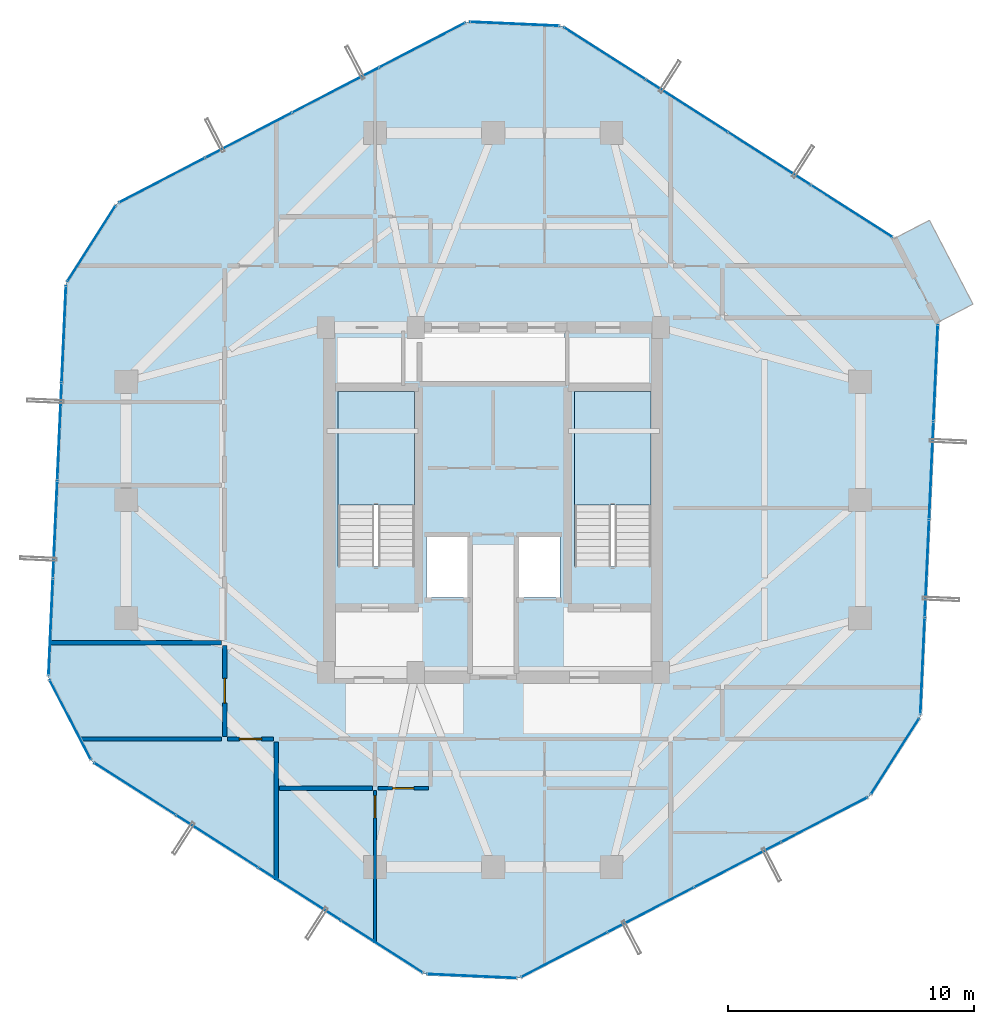
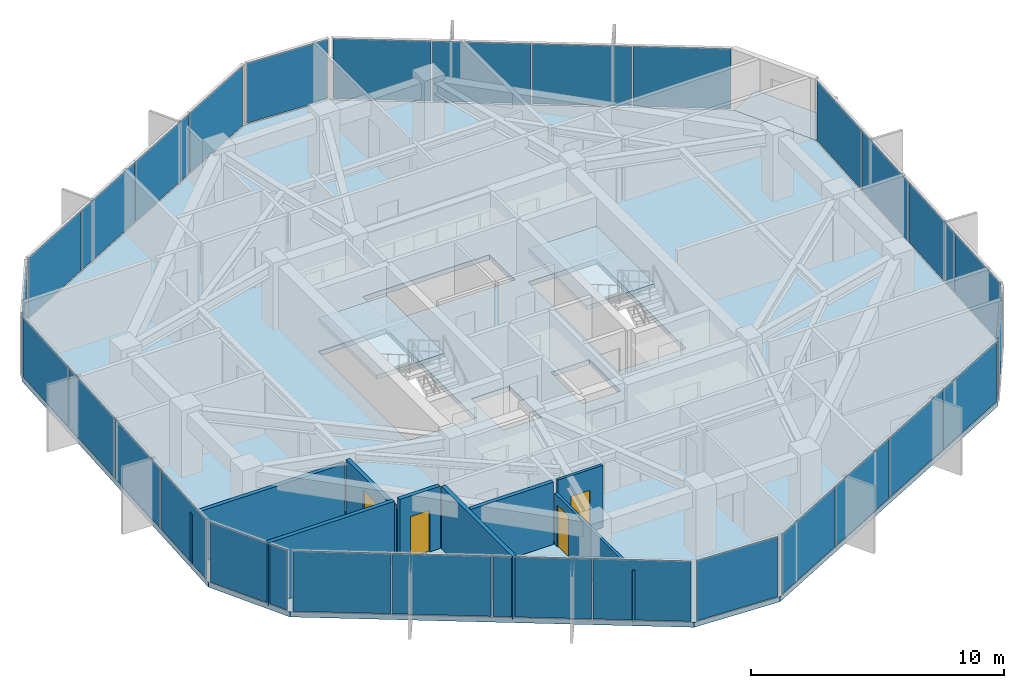
# One storey, part 24 of 29: 29 plates, 8 walls, 4 doors, 4 slabs, 4 openings, 13 elements without a shape of their own.
"""IFC4 building model written with IfcOpenShell, lengths in metres."""

from ifc_helpers import new_model, si_unit, direction, frame, frame_2d, origin, origin_2d, place, context, subcontext, project, spatial, polyline, rectangle, outline, extrude, source, transform, mapped, material, layer, layer_set, type_object, element, fill, aggregate, save


model = new_model("IFC4")

# Units and contexts
model_context = context("Model", 3, precision=1e-05, world=origin(), true_north=direction((0.0, 1.0)))
body_context = subcontext(model_context, "Body", "Model", "MODEL_VIEW")
ifc_project = project(units=[si_unit("LENGTHUNIT", "METRE"), si_unit("AREAUNIT", "SQUARE_METRE"), si_unit("VOLUMEUNIT", "CUBIC_METRE"), si_unit("PLANEANGLEUNIT", "RADIAN"), si_unit("MASSUNIT", "GRAM", prefix="KILO")], contexts=[model_context])

# Site, building, storey
site_placement = place(None, origin())
site = spatial("IfcSite", under=ifc_project, at=site_placement, CompositionType="ELEMENT")
building_placement = place(site_placement, origin())
building = spatial("IfcBuilding", under=site, at=building_placement, Name="Veraguas Prism Commons", CompositionType="ELEMENT")
storey_placement = place(building_placement, frame((0.0, 0.0, 215.64990234375)))
storey = spatial("IfcBuildingStorey", under=building, at=storey_placement, Name="L61", CompositionType="ELEMENT", Elevation=215.64990234375)

# Stair, slab
ifc_material_1 = material(Name="Precast concrete C45/55", Category="concrete")
stair_type = type_object("IfcStairType", Name="Dogleg Core Stair 1480W 20R 05", PredefinedType="HALF_TURN_STAIR", material=ifc_material_1)
stair_1_placement = place(storey_placement, origin())
stair_1 = element("IfcStair", 1, at=stair_1_placement, inside=storey, type_object=stair_type, Name="Protected Exit Stair ST-01 L61", PredefinedType="HALF_TURN_STAIR")
ifc_layer_1 = layer(ifc_material_1, 0.199951171875, Name="Precast Stair and Ramp Landing Slab 200", Category="concrete")
ifc_layer_set_1 = layer_set([ifc_layer_1], Name="Precast concrete C45/55")
slab_type_1 = type_object("IfcSlabType", Name="Precast Stair and Ramp Landing Slab 200", PredefinedType="LANDING", material=ifc_layer_set_1)
slab_1_placement = place(storey_placement, frame((0.0, 0.0, 1.425048828125)))
slab_1 = element("IfcSlab", 2, at=slab_1_placement, type_object=slab_type_1, Name="ST-05 Landing 1", PredefinedType="LANDING", context=body_context, shape_type="SweptSolid", body=[
    extrude(outline(polyline([(20.800048828125, 23.800048828125), (20.800048828125, 28.39990234375), (17.68994140625, 28.39990234375), (17.68994140625, 23.800048828125), (20.800048828125, 23.800048828125)])), origin(), (0.0, 0.0, 1.0), 0.199951171875),
])
aggregate(stair_1, [slab_1])

stair_2_placement = place(storey_placement, origin())
stair_2 = element("IfcStair", 3, at=stair_2_placement, inside=storey, type_object=stair_type, Name="Protected Exit Stair ST-02 L61", PredefinedType="HALF_TURN_STAIR")
slab_2_placement = place(storey_placement, frame((0.0, 0.0, 1.425048828125)))
slab_2 = element("IfcSlab", 4, at=slab_2_placement, type_object=slab_type_1, Name="ST-05 Landing 1", PredefinedType="LANDING", context=body_context, shape_type="SweptSolid", body=[
    extrude(outline(polyline([(30.39990234375, 23.800048828125), (30.39990234375, 28.39990234375), (27.2900390625, 28.39990234375), (27.2900390625, 23.800048828125), (30.39990234375, 23.800048828125)])), origin(), (0.0, 0.0, 1.0), 0.199951171875),
])
aggregate(stair_2, [slab_2])

# Slabs
ifc_material_2 = material(Name="Concrete C45/55", Category="concrete")
ifc_layer_2 = layer(ifc_material_2, 0.219970703125, Name="Recessed Loggia and Terrace Slab RC 220", Category="concrete")
ifc_layer_set_2 = layer_set([ifc_layer_2], Name="Concrete C45/55")
slab_type_2 = type_object("IfcSlabType", Name="Recessed Loggia and Terrace Slab RC 220", PredefinedType="FLOOR", material=ifc_layer_set_2)
slab_3_placement = place(storey_placement, frame((0.0, 0.0, -0.219970703125)))
element("IfcSlab", 5, at=slab_3_placement, inside=storey, type_object=slab_type_2, Name="Recessed Corner Loggia L61-C1", PredefinedType="FLOOR", context=body_context, shape_type="SweptSolid", body=[
    extrude(outline(polyline([(42.03271484375, 31.202880859375), (43.470458984375, 31.949462890625), (41.703369140625, 35.3525390625), (40.265625, 34.60595703125), (42.03271484375, 31.202880859375)])), origin(), (0.0, 0.0, 1.0), 0.219970703125),
])
ifc_layer_3 = layer(ifc_material_2, 0.235107421875, Name="Tower Upper Residential Floor Slab RC 235", Category="concrete")
ifc_layer_set_3 = layer_set([ifc_layer_3], Name="Concrete C45/55")
slab_type_3 = type_object("IfcSlabType", Name="Tower Upper Residential Floor Slab RC 235", PredefinedType="FLOOR", material=ifc_layer_set_3)
slab_4_placement = place(storey_placement, frame((0.0, 0.0, -0.23486328125)))
element("IfcSlab", 6, at=slab_4_placement, inside=storey, type_object=slab_type_3, Name="Tower Floor Slab L61", PredefinedType="FLOOR", context=body_context, shape_type="SweptSolid", body=[
    extrude(outline(polyline([(42.05029296875, 31.212158203125), (40.283447265625, 34.615234375), (26.779296875, 43.23828125), (22.94873046875, 43.409423828125), (8.72900390625, 36.02587890625), (6.665283203125, 32.794189453125), (5.94970703125, 16.787841796875), (7.716552734375, 13.384765625), (21.220703125, 4.76171875), (25.05126953125, 4.590576171875), (39.27099609375, 11.97412109375), (41.334716796875, 15.205810546875), (42.05029296875, 31.212158203125)]), holes=[polyline([(20.800048828125, 21.31005859375), (20.800048828125, 28.39990234375), (17.68994140625, 28.39990234375), (17.68994140625, 21.31005859375), (20.800048828125, 21.31005859375)]), polyline([(30.39990234375, 21.31005859375), (30.39990234375, 28.39990234375), (27.2900390625, 28.39990234375), (27.2900390625, 21.31005859375), (30.39990234375, 21.31005859375)]), polyline([(21.10009765625, 28.800048828125), (26.89990234375, 28.800048828125), (26.89990234375, 30.800048828125), (21.10009765625, 30.800048828125), (21.10009765625, 28.800048828125)]), polyline([(21.300048828125, 20.050048828125), (23.050048828125, 20.050048828125), (23.050048828125, 22.550048828125), (21.300048828125, 22.550048828125), (21.300048828125, 20.050048828125)]), polyline([(24.949951171875, 20.050048828125), (26.699951171875, 20.050048828125), (26.699951171875, 22.550048828125), (24.949951171875, 22.550048828125), (24.949951171875, 20.050048828125)])]), origin(), (0.0, 0.0, 1.0), 0.23486328125),
])

# Curtain wall, plates
ifc_material_3 = material(Name="Anodised aluminium EN AW-6063 T6", Category="aluminium")
ifc_layer_4 = layer(ifc_material_3, 0.14990234375, Name="Unitised Flush Curtain Wall Zone 3", Category="aluminium")
ifc_layer_set_4 = layer_set([ifc_layer_4], Name="Anodised aluminium EN AW-6063 T6")
curtain_wall_type = type_object("IfcCurtainWallType", Name="Unitised Flush Curtain Wall Zone 3", PredefinedType="NOTDEFINED", material=ifc_layer_set_4)
curtain_wall_1_placement = place(storey_placement, origin())
curtain_wall_1 = element("IfcCurtainWall", 7, at=curtain_wall_1_placement, inside=storey, type_object=curtain_wall_type, Name="Tower Facade Curtain Wall L61-F1", PredefinedType="NOTDEFINED")
ifc_material_4 = material(Name="Laminated low-e glass", Category="glass")
ifc_layer_5 = layer(ifc_material_4, 0.028076171875, Name="Unitised Double Low-E Glazed Panel 28", Category="glass")
ifc_layer_set_5 = layer_set([ifc_layer_5], Name="Laminated low-e glass")
plate_type = type_object("IfcPlateType", Name="Unitised Double Low-E Glazed Panel 28", PredefinedType="CURTAIN_PANEL", material=ifc_layer_set_5)
shared_shape_1 = source(origin(), body_context, "Body", "SweptSolid", [
    extrude(rectangle(XDim=3.885498046875, YDim=0.028076171875, at=origin_2d()), origin(), (0.0, 0.0, 1.0), 2.905029296875),
])
plate_1_placement = place(storey_placement, frame((38.544677734375, 35.725341796875, 0.05517578125), z_axis=(0.0, 0.0, 1.0), x_axis=(-0.842828324641, 0.538182511035, 0.0)))
plate_1 = element("IfcPlate", 8, at=plate_1_placement, type_object=plate_type, Name="CW-Z3 Panel 1.1", PredefinedType="CURTAIN_PANEL", context=body_context, shape_type="MappedRepresentation", body=[
    mapped(shared_shape_1, transform((0.0, 0.0, 0.0), scale=1.0)),
])
plate_2_placement = place(storey_placement, frame((28.517822265625, 42.1279296875, 0.05517578125), z_axis=(0.0, 0.0, 1.0), x_axis=(-0.842828324641, 0.538182511035, 0.0)))
plate_2 = element("IfcPlate", 9, at=plate_2_placement, type_object=plate_type, Name="CW-Z3 Panel 4.1", PredefinedType="CURTAIN_PANEL", context=body_context, shape_type="MappedRepresentation", body=[
    mapped(shared_shape_1, transform((0.0, 0.0, 0.0), scale=1.0)),
])

curtain_wall_2_placement = place(storey_placement, origin())
curtain_wall_2 = element("IfcCurtainWall", 10, at=curtain_wall_2_placement, inside=storey, type_object=curtain_wall_type, Name="Tower Facade Curtain Wall L61-F4", PredefinedType="NOTDEFINED")
plate_3_placement = place(storey_placement, frame((9.455322265625, 12.274658203125, 0.05517578125), z_axis=(0.0, 0.0, 1.0), x_axis=(0.842828324641, -0.538182511035, 0.0)))
plate_3 = element("IfcPlate", 11, at=plate_3_placement, type_object=plate_type, Name="CW-Z3 Panel 1.1", PredefinedType="CURTAIN_PANEL", context=body_context, shape_type="MappedRepresentation", body=[
    mapped(shared_shape_1, transform((0.0, 0.0, 0.0), scale=1.0)),
])
plate_4_placement = place(storey_placement, frame((19.482177734375, 5.8720703125, 0.05517578125), z_axis=(0.0, 0.0, 1.0), x_axis=(0.842828324641, -0.538182511035, 0.0)))
plate_4 = element("IfcPlate", 12, at=plate_4_placement, type_object=plate_type, Name="CW-Z3 Panel 4.1", PredefinedType="CURTAIN_PANEL", context=body_context, shape_type="MappedRepresentation", body=[
    mapped(shared_shape_1, transform((0.0, 0.0, 0.0), scale=1.0)),
])

# Plate
shared_shape_2 = source(origin(), body_context, "Body", "SweptSolid", [
    extrude(rectangle(XDim=3.91552734375, YDim=0.028076171875, at=origin_2d()), origin(), (0.0, 0.0, 1.0), 2.905029296875),
])
plate_5_placement = place(storey_placement, frame((35.206787109375, 37.85693359375, 0.05517578125), z_axis=(0.0, 0.0, 1.0), x_axis=(-0.842828324641, 0.538182511035, 0.0)))
plate_5 = element("IfcPlate", 13, at=plate_5_placement, type_object=plate_type, Name="CW-Z3 Panel 2.1", PredefinedType="CURTAIN_PANEL", context=body_context, shape_type="MappedRepresentation", body=[
    mapped(shared_shape_2, transform((0.0, 0.0, 0.0), scale=1.0)),
])

plate_6_placement = place(storey_placement, frame((31.85595703125, 39.99658203125, 0.05517578125), z_axis=(0.0, 0.0, 1.0), x_axis=(-0.842828324641, 0.538182511035, 0.0)))
plate_6 = element("IfcPlate", 14, at=plate_6_placement, type_object=plate_type, Name="CW-Z3 Panel 3.1", PredefinedType="CURTAIN_PANEL", context=body_context, shape_type="MappedRepresentation", body=[
    mapped(shared_shape_2, transform((0.0, 0.0, 0.0), scale=1.0)),
])

aggregate(curtain_wall_1, [plate_1, plate_5, plate_6, plate_2])

# Curtain wall, plates
curtain_wall_3_placement = place(storey_placement, origin())
curtain_wall_3 = element("IfcCurtainWall", 15, at=curtain_wall_3_placement, inside=storey, type_object=curtain_wall_type, Name="Tower Facade Curtain Wall L61-F2", PredefinedType="NOTDEFINED")
plate_7_placement = place(storey_placement, frame((17.60302734375, 40.6337890625, 0.05517578125), z_axis=(0.0, 0.0, 1.0), x_axis=(-0.887493888749, -0.46081948465, 0.0)))
plate_7 = element("IfcPlate", 16, at=plate_7_placement, type_object=plate_type, Name="CW-Z3 Panel 2.1", PredefinedType="CURTAIN_PANEL", context=body_context, shape_type="MappedRepresentation", body=[
    mapped(shared_shape_2, transform((0.0, 0.0, 0.0), scale=1.0)),
])
plate_8_placement = place(storey_placement, frame((14.07470703125, 38.8017578125, 0.05517578125), z_axis=(0.0, 0.0, 1.0), x_axis=(-0.887493888749, -0.46081948465, 0.0)))
plate_8 = element("IfcPlate", 17, at=plate_8_placement, type_object=plate_type, Name="CW-Z3 Panel 3.1", PredefinedType="CURTAIN_PANEL", context=body_context, shape_type="MappedRepresentation", body=[
    mapped(shared_shape_2, transform((0.0, 0.0, 0.0), scale=1.0)),
])

curtain_wall_4_placement = place(storey_placement, origin())
curtain_wall_4 = element("IfcCurtainWall", 18, at=curtain_wall_4_placement, inside=storey, type_object=curtain_wall_type, Name="Tower Facade Curtain Wall L61-F3", PredefinedType="NOTDEFINED")
plate_9_placement = place(storey_placement, frame((6.396240234375, 26.77685546875, 0.05517578125), z_axis=(0.0, 0.0, 1.0), x_axis=(-0.044665564108, -0.999001995685, 0.0)))
plate_9 = element("IfcPlate", 19, at=plate_9_placement, type_object=plate_type, Name="CW-Z3 Panel 2.1", PredefinedType="CURTAIN_PANEL", context=body_context, shape_type="MappedRepresentation", body=[
    mapped(shared_shape_2, transform((0.0, 0.0, 0.0), scale=1.0)),
])
plate_10_placement = place(storey_placement, frame((6.21875, 22.80517578125, 0.05517578125), z_axis=(0.0, 0.0, 1.0), x_axis=(-0.044665564108, -0.999001995685, 0.0)))
plate_10 = element("IfcPlate", 20, at=plate_10_placement, type_object=plate_type, Name="CW-Z3 Panel 3.1", PredefinedType="CURTAIN_PANEL", context=body_context, shape_type="MappedRepresentation", body=[
    mapped(shared_shape_2, transform((0.0, 0.0, 0.0), scale=1.0)),
])

# Plate
plate_11_placement = place(storey_placement, frame((12.793212890625, 10.14306640625, 0.05517578125), z_axis=(0.0, 0.0, 1.0), x_axis=(0.842828324641, -0.538182511035, 0.0)))
plate_11 = element("IfcPlate", 21, at=plate_11_placement, type_object=plate_type, Name="CW-Z3 Panel 2.1", PredefinedType="CURTAIN_PANEL", context=body_context, shape_type="MappedRepresentation", body=[
    mapped(shared_shape_2, transform((0.0, 0.0, 0.0), scale=1.0)),
])

plate_12_placement = place(storey_placement, frame((16.14404296875, 8.00341796875, 0.05517578125), z_axis=(0.0, 0.0, 1.0), x_axis=(0.842828324641, -0.538182511035, 0.0)))
plate_12 = element("IfcPlate", 22, at=plate_12_placement, type_object=plate_type, Name="CW-Z3 Panel 3.1", PredefinedType="CURTAIN_PANEL", context=body_context, shape_type="MappedRepresentation", body=[
    mapped(shared_shape_2, transform((0.0, 0.0, 0.0), scale=1.0)),
])

aggregate(curtain_wall_2, [plate_3, plate_11, plate_12, plate_4])

# Curtain wall, plates
curtain_wall_5_placement = place(storey_placement, origin())
curtain_wall_5 = element("IfcCurtainWall", 23, at=curtain_wall_5_placement, inside=storey, type_object=curtain_wall_type, Name="Tower Facade Curtain Wall L61-F5", PredefinedType="NOTDEFINED")
plate_13_placement = place(storey_placement, frame((30.39697265625, 7.3662109375, 0.05517578125), z_axis=(0.0, 0.0, 1.0), x_axis=(0.887493888749, 0.46081948465, 0.0)))
plate_13 = element("IfcPlate", 24, at=plate_13_placement, type_object=plate_type, Name="CW-Z3 Panel 2.1", PredefinedType="CURTAIN_PANEL", context=body_context, shape_type="MappedRepresentation", body=[
    mapped(shared_shape_2, transform((0.0, 0.0, 0.0), scale=1.0)),
])
plate_14_placement = place(storey_placement, frame((33.92529296875, 9.1982421875, 0.05517578125), z_axis=(0.0, 0.0, 1.0), x_axis=(0.887493888749, 0.46081948465, 0.0)))
plate_14 = element("IfcPlate", 25, at=plate_14_placement, type_object=plate_type, Name="CW-Z3 Panel 3.1", PredefinedType="CURTAIN_PANEL", context=body_context, shape_type="MappedRepresentation", body=[
    mapped(shared_shape_2, transform((0.0, 0.0, 0.0), scale=1.0)),
])

curtain_wall_6_placement = place(storey_placement, origin())
curtain_wall_6 = element("IfcCurtainWall", 26, at=curtain_wall_6_placement, inside=storey, type_object=curtain_wall_type, Name="Tower Facade Curtain Wall L61-F6", PredefinedType="NOTDEFINED")
plate_15_placement = place(storey_placement, frame((41.603759765625, 21.22314453125, 0.05517578125), z_axis=(0.0, 0.0, 1.0), x_axis=(0.044665564108, 0.999001995685, 0.0)))
plate_15 = element("IfcPlate", 27, at=plate_15_placement, type_object=plate_type, Name="CW-Z3 Panel 2.1", PredefinedType="CURTAIN_PANEL", context=body_context, shape_type="MappedRepresentation", body=[
    mapped(shared_shape_2, transform((0.0, 0.0, 0.0), scale=1.0)),
])
plate_16_placement = place(storey_placement, frame((41.78125, 25.19482421875, 0.05517578125), z_axis=(0.0, 0.0, 1.0), x_axis=(0.044665564108, 0.999001995685, 0.0)))
plate_16 = element("IfcPlate", 28, at=plate_16_placement, type_object=plate_type, Name="CW-Z3 Panel 3.1", PredefinedType="CURTAIN_PANEL", context=body_context, shape_type="MappedRepresentation", body=[
    mapped(shared_shape_2, transform((0.0, 0.0, 0.0), scale=1.0)),
])

# Plate
shared_shape_3 = source(origin(), body_context, "Body", "SweptSolid", [
    extrude(rectangle(XDim=3.8857421875, YDim=0.028076171875, at=origin_2d()), origin(), (0.0, 0.0, 1.0), 2.905029296875),
])
plate_17_placement = place(storey_placement, frame((21.117919921875, 42.458984375, 0.05517578125), z_axis=(0.0, 0.0, 1.0), x_axis=(-0.887493888749, -0.46081948465, 0.0)))
plate_17 = element("IfcPlate", 29, at=plate_17_placement, type_object=plate_type, Name="CW-Z3 Panel 1.1", PredefinedType="CURTAIN_PANEL", context=body_context, shape_type="MappedRepresentation", body=[
    mapped(shared_shape_3, transform((0.0, 0.0, 0.0), scale=1.0)),
])

plate_18_placement = place(storey_placement, frame((10.5595703125, 36.9765625, 0.05517578125), z_axis=(0.0, 0.0, 1.0), x_axis=(-0.887493888749, -0.46081948465, 0.0)))
plate_18 = element("IfcPlate", 30, at=plate_18_placement, type_object=plate_type, Name="CW-Z3 Panel 4.1", PredefinedType="CURTAIN_PANEL", context=body_context, shape_type="MappedRepresentation", body=[
    mapped(shared_shape_3, transform((0.0, 0.0, 0.0), scale=1.0)),
])

aggregate(curtain_wall_3, [plate_17, plate_7, plate_8, plate_18])

plate_19_placement = place(storey_placement, frame((6.5732421875, 30.733642578125, 0.05517578125), z_axis=(0.0, 0.0, 1.0), x_axis=(-0.044665564108, -0.999001995685, 0.0)))
plate_19 = element("IfcPlate", 31, at=plate_19_placement, type_object=plate_type, Name="CW-Z3 Panel 1.1", PredefinedType="CURTAIN_PANEL", context=body_context, shape_type="MappedRepresentation", body=[
    mapped(shared_shape_3, transform((0.0, 0.0, 0.0), scale=1.0)),
])

plate_20_placement = place(storey_placement, frame((6.041748046875, 18.8486328125, 0.05517578125), z_axis=(0.0, 0.0, 1.0), x_axis=(-0.044665564108, -0.999001995685, 0.0)))
plate_20 = element("IfcPlate", 32, at=plate_20_placement, type_object=plate_type, Name="CW-Z3 Panel 4.1", PredefinedType="CURTAIN_PANEL", context=body_context, shape_type="MappedRepresentation", body=[
    mapped(shared_shape_3, transform((0.0, 0.0, 0.0), scale=1.0)),
])

aggregate(curtain_wall_4, [plate_19, plate_9, plate_10, plate_20])

plate_21_placement = place(storey_placement, frame((26.882080078125, 5.541015625, 0.05517578125), z_axis=(0.0, 0.0, 1.0), x_axis=(0.887493888749, 0.46081948465, 0.0)))
plate_21 = element("IfcPlate", 33, at=plate_21_placement, type_object=plate_type, Name="CW-Z3 Panel 1.1", PredefinedType="CURTAIN_PANEL", context=body_context, shape_type="MappedRepresentation", body=[
    mapped(shared_shape_3, transform((0.0, 0.0, 0.0), scale=1.0)),
])

plate_22_placement = place(storey_placement, frame((37.4404296875, 11.0234375, 0.05517578125), z_axis=(0.0, 0.0, 1.0), x_axis=(0.887493888749, 0.46081948465, 0.0)))
plate_22 = element("IfcPlate", 34, at=plate_22_placement, type_object=plate_type, Name="CW-Z3 Panel 4.1", PredefinedType="CURTAIN_PANEL", context=body_context, shape_type="MappedRepresentation", body=[
    mapped(shared_shape_3, transform((0.0, 0.0, 0.0), scale=1.0)),
])

aggregate(curtain_wall_5, [plate_21, plate_13, plate_14, plate_22])

plate_23_placement = place(storey_placement, frame((41.4267578125, 17.266357421875, 0.05517578125), z_axis=(0.0, 0.0, 1.0), x_axis=(0.044665564108, 0.999001995685, 0.0)))
plate_23 = element("IfcPlate", 35, at=plate_23_placement, type_object=plate_type, Name="CW-Z3 Panel 1.1", PredefinedType="CURTAIN_PANEL", context=body_context, shape_type="MappedRepresentation", body=[
    mapped(shared_shape_3, transform((0.0, 0.0, 0.0), scale=1.0)),
])

plate_24_placement = place(storey_placement, frame((41.958251953125, 29.1513671875, 0.05517578125), z_axis=(0.0, 0.0, 1.0), x_axis=(0.044665564108, 0.999001995685, 0.0)))
plate_24 = element("IfcPlate", 36, at=plate_24_placement, type_object=plate_type, Name="CW-Z3 Panel 4.1", PredefinedType="CURTAIN_PANEL", context=body_context, shape_type="MappedRepresentation", body=[
    mapped(shared_shape_3, transform((0.0, 0.0, 0.0), scale=1.0)),
])

aggregate(curtain_wall_6, [plate_23, plate_15, plate_16, plate_24])

# Curtain wall, plate
curtain_wall_7_placement = place(storey_placement, origin())
curtain_wall_7 = element("IfcCurtainWall", 37, at=curtain_wall_7_placement, inside=storey, type_object=curtain_wall_type, Name="Chamfer Curtain Wall L61-C3", PredefinedType="NOTDEFINED")
shared_shape_4 = source(origin(), body_context, "Body", "SweptSolid", [
    extrude(rectangle(XDim=3.59423828125, YDim=0.028076171875, at=origin_2d()), origin(), (0.0, 0.0, 1.0), 2.905029296875),
])
plate_25_placement = place(storey_placement, frame((7.697021484375, 34.41015625, 0.05517578125), z_axis=(0.0, 0.0, 1.0), x_axis=(-0.538189866079, -0.84282362808, 0.0)))
plate_25 = element("IfcPlate", 38, at=plate_25_placement, type_object=plate_type, Name="CW-Z3 Panel 1.1", PredefinedType="CURTAIN_PANEL", context=body_context, shape_type="MappedRepresentation", body=[
    mapped(shared_shape_4, transform((0.0, 0.0, 0.0), scale=1.0)),
])
aggregate(curtain_wall_7, [plate_25])

curtain_wall_8_placement = place(storey_placement, origin())
curtain_wall_8 = element("IfcCurtainWall", 39, at=curtain_wall_8_placement, inside=storey, type_object=curtain_wall_type, Name="Chamfer Curtain Wall L61-C6", PredefinedType="NOTDEFINED")
plate_26_placement = place(storey_placement, frame((40.302978515625, 13.58984375, 0.05517578125), z_axis=(0.0, 0.0, 1.0), x_axis=(0.538189866079, 0.84282362808, 0.0)))
plate_26 = element("IfcPlate", 40, at=plate_26_placement, type_object=plate_type, Name="CW-Z3 Panel 1.1", PredefinedType="CURTAIN_PANEL", context=body_context, shape_type="MappedRepresentation", body=[
    mapped(shared_shape_4, transform((0.0, 0.0, 0.0), scale=1.0)),
])
aggregate(curtain_wall_8, [plate_26])

curtain_wall_9_placement = place(storey_placement, origin())
curtain_wall_9 = element("IfcCurtainWall", 41, at=curtain_wall_9_placement, inside=storey, type_object=curtain_wall_type, Name="Chamfer Curtain Wall L61-C2", PredefinedType="NOTDEFINED")
shared_shape_5 = source(origin(), body_context, "Body", "SweptSolid", [
    extrude(rectangle(XDim=3.594482421875, YDim=0.028076171875, at=origin_2d()), origin(), (0.0, 0.0, 1.0), 2.905029296875),
])
plate_27_placement = place(storey_placement, frame((24.864013671875, 43.32373046875, 0.05517578125), z_axis=(0.0, 0.0, 1.0), x_axis=(-0.999003242593, 0.044637666692, 0.0)))
plate_27 = element("IfcPlate", 42, at=plate_27_placement, type_object=plate_type, Name="CW-Z3 Panel 1.1", PredefinedType="CURTAIN_PANEL", context=body_context, shape_type="MappedRepresentation", body=[
    mapped(shared_shape_5, transform((0.0, 0.0, 0.0), scale=1.0)),
])
aggregate(curtain_wall_9, [plate_27])

curtain_wall_10_placement = place(storey_placement, origin())
curtain_wall_10 = element("IfcCurtainWall", 43, at=curtain_wall_10_placement, inside=storey, type_object=curtain_wall_type, Name="Chamfer Curtain Wall L61-C4", PredefinedType="NOTDEFINED")
plate_28_placement = place(storey_placement, frame((6.8330078125, 15.086181640625, 0.05517578125), z_axis=(0.0, 0.0, 1.0), x_axis=(0.460836523225, -0.887485041486, 0.0)))
plate_28 = element("IfcPlate", 44, at=plate_28_placement, type_object=plate_type, Name="CW-Z3 Panel 1.1", PredefinedType="CURTAIN_PANEL", context=body_context, shape_type="MappedRepresentation", body=[
    mapped(shared_shape_5, transform((0.0, 0.0, 0.0), scale=1.0)),
])
aggregate(curtain_wall_10, [plate_28])

curtain_wall_11_placement = place(storey_placement, origin())
curtain_wall_11 = element("IfcCurtainWall", 45, at=curtain_wall_11_placement, inside=storey, type_object=curtain_wall_type, Name="Chamfer Curtain Wall L61-C5", PredefinedType="NOTDEFINED")
plate_29_placement = place(storey_placement, frame((23.135986328125, 4.67626953125, 0.05517578125), z_axis=(0.0, 0.0, 1.0), x_axis=(0.999003242593, -0.044637666692, 0.0)))
plate_29 = element("IfcPlate", 46, at=plate_29_placement, type_object=plate_type, Name="CW-Z3 Panel 1.1", PredefinedType="CURTAIN_PANEL", context=body_context, shape_type="MappedRepresentation", body=[
    mapped(shared_shape_5, transform((0.0, 0.0, 0.0), scale=1.0)),
])
aggregate(curtain_wall_11, [plate_29])

# Walls
ifc_material_5 = material(Name="Autoclaved aerated masonry block 10 MPa", Category="masonry")
ifc_layer_6 = layer(ifc_material_5, 0.179931640625, Name="Corridor and Inter-Tenancy Partition 180", Category="masonry")
ifc_layer_set_6 = layer_set([ifc_layer_6], Name="Autoclaved aerated masonry block 10 MPa")
wall_type_1 = type_object("IfcWallType", Name="Corridor and Inter-Tenancy Partition 180", PredefinedType="PARTITIONING", material=ifc_layer_set_6)
wall_1_placement = place(storey_placement, frame((15.199951171875, 14.179931640625, 0.0), z_axis=(0.0, 0.0, 1.0), x_axis=(0.0, -1.0, 0.0)))
element("IfcWall", 47, at=wall_1_placement, inside=storey, type_object=wall_type_1, Name="WL-L61-PT001", PredefinedType="PARTITIONING", context=body_context, shape_type="SweptSolid", body=[
    extrude(rectangle(XDim=5.609130859375, YDim=0.179931640625, at=frame_2d((2.8046875, 0.0))), origin(), (0.0, 0.0, 1.0), 3.01513671875),
])
wall_2_placement = place(storey_placement, frame((15.320068359375, 12.300048828125, 0.0), z_axis=(0.0, 0.0, 1.0), x_axis=(1.0, 0.0, 0.0)))
element("IfcWall", 48, at=wall_2_placement, inside=storey, type_object=wall_type_1, Name="WL-L61-PT005", PredefinedType="PARTITIONING", context=body_context, shape_type="SweptSolid", body=[
    extrude(rectangle(XDim=3.780029296875, YDim=0.179931640625, at=frame_2d((1.89013671875, 0.0))), origin(), (0.0, 0.0, 1.0), 3.01513671875),
])
wall_3_placement = place(storey_placement, frame((12.97998046875, 14.300048828125, 0.0), z_axis=(0.0, 0.0, 1.0), x_axis=(-1.0, 0.0, 0.0)))
element("IfcWall", 49, at=wall_3_placement, inside=storey, type_object=wall_type_1, Name="WL-L61-PT025", PredefinedType="PARTITIONING", context=body_context, shape_type="SweptSolid", body=[
    extrude(rectangle(XDim=5.7724609375, YDim=0.179931640625, at=frame_2d((2.88623046875, 0.0))), origin(), (0.0, 0.0, 1.0), 3.01513671875),
])

# Wall, opening, door
wall_4_placement = place(storey_placement, frame((13.10009765625, 14.409912109375, 0.0), z_axis=(0.0, 0.0, 1.0), x_axis=(0.0, 1.0, 0.0)))
wall_4 = element("IfcWall", 50, at=wall_4_placement, inside=storey, type_object=wall_type_1, Name="WL-L61-PT027", PredefinedType="PARTITIONING", context=body_context, shape_type="SweptSolid", body=[
    extrude(rectangle(XDim=3.692138671875, YDim=0.179931640625, at=frame_2d((1.84619140625, 0.0))), origin(), (0.0, 0.0, 1.0), 2.662109375),
])
opening_1_placement = place(wall_4_placement, frame((1.345947265625, 0.0, 0.0)))
opening_1 = element("IfcOpeningElement", 51, at=opening_1_placement, cuts=wall_4, Name="Opening DR-13", PredefinedType="OPENING", context=body_context, shape_type="SweptSolid", body=[
    extrude(rectangle(XDim=1.0, YDim=2.010009765625, at=frame_2d((0.5, 1.0048828125))), frame((0.0, 0.099853515625, 0.0), z_axis=(0.0, -1.0, 0.0), x_axis=(1.0, 0.0, 0.0)), (0.0, 0.0, 1.0), 0.199951171875),
])
ifc_material_6 = material(Name="Steel fire-rated door assembly", Category="steel")
door_type_1 = type_object("IfcDoorType", Name="Core Accessible WC and Clinic Fire Door 1000x2010", OperationType="NOTDEFINED", PredefinedType="DOOR", material=ifc_material_6)
shared_shape_6 = source(origin(), body_context, "Body", "SweptSolid", [
    extrude(rectangle(XDim=1.0, YDim=2.010009765625, at=frame_2d((0.5, 1.0048828125))), frame((0.0, 0.02490234375, 0.0), z_axis=(0.0, -1.0, 0.0), x_axis=(1.0, 0.0, 0.0)), (0.0, 0.0, 1.0), 0.050048828125),
])
door_1_placement = place(opening_1_placement, origin())
door_1 = element("IfcDoor", 52, at=door_1_placement, inside=storey, type_object=door_type_1, Name="Community Co-op Kitchen Door", OperationType="SINGLE_SWING_LEFT", OverallHeight=2.010009765625, OverallWidth=1.0, PredefinedType="DOOR", context=body_context, shape_type="MappedRepresentation", body=[
    mapped(shared_shape_6, transform((0.0, 0.0, 0.0), scale=1.0)),
])
fill(opening_1, door_1)

# Wall
wall_5_placement = place(storey_placement, frame((12.97998046875, 18.2119140625, 0.0), z_axis=(0.0, 0.0, 1.0), x_axis=(-1.0, 0.0, 0.0)))
element("IfcWall", 53, at=wall_5_placement, inside=storey, type_object=wall_type_1, Name="WL-L61-PT029", PredefinedType="PARTITIONING", context=body_context, shape_type="SweptSolid", body=[
    extrude(rectangle(XDim=6.99658203125, YDim=0.179931640625, at=frame_2d((3.498291015625, 0.0))), origin(), (0.0, 0.0, 1.0), 2.468994140625),
])

# Wall, opening, door
wall_6_placement = place(storey_placement, frame((13.219970703125, 14.300048828125, 0.0), z_axis=(0.0, 0.0, 1.0), x_axis=(1.0, 0.0, 0.0)))
wall_6 = element("IfcWall", 54, at=wall_6_placement, inside=storey, type_object=wall_type_1, Name="WL-L61-PT041", PredefinedType="PARTITIONING", context=body_context, shape_type="SweptSolid", body=[
    extrude(rectangle(XDim=1.860107421875, YDim=0.179931640625, at=frame_2d((0.93017578125, 0.0))), origin(), (0.0, 0.0, 1.0), 3.01513671875),
])
opening_2_placement = place(wall_6_placement, frame((0.47998046875, 0.0, 0.0)))
opening_2 = element("IfcOpeningElement", 55, at=opening_2_placement, cuts=wall_6, Name="Opening DR-14", PredefinedType="OPENING", context=body_context, shape_type="SweptSolid", body=[
    extrude(rectangle(XDim=0.89990234375, YDim=2.010009765625, at=frame_2d((0.449951171875, 1.0048828125))), frame((0.0, 0.099853515625, 0.0), z_axis=(0.0, -1.0, 0.0), x_axis=(1.0, 0.0, 0.0)), (0.0, 0.0, 1.0), 0.199951171875),
])
door_type_2 = type_object("IfcDoorType", Name="Core Service Room Fire Door 900x2010", OperationType="NOTDEFINED", PredefinedType="DOOR", material=ifc_material_6)
shared_shape_7 = source(origin(), body_context, "Body", "SweptSolid", [
    extrude(rectangle(XDim=0.89990234375, YDim=2.010009765625, at=frame_2d((0.449951171875, 1.0048828125))), frame((0.0, 0.02490234375, 0.0), z_axis=(0.0, -1.0, 0.0), x_axis=(1.0, 0.0, 0.0)), (0.0, 0.0, 1.0), 0.050048828125),
])
door_2_placement = place(opening_2_placement, origin())
door_2 = element("IfcDoor", 56, at=door_2_placement, inside=storey, type_object=door_type_2, Name="Residents Corner Study Room SW Door", OperationType="SINGLE_SWING_LEFT", OverallHeight=2.010009765625, OverallWidth=0.89990234375, PredefinedType="DOOR", context=body_context, shape_type="MappedRepresentation", body=[
    mapped(shared_shape_7, transform((0.0, 0.0, 0.0), scale=1.0)),
])
fill(opening_2, door_2)

ifc_material_7 = material(Name="Lightweight acoustic gypsum board")
ifc_layer_7 = layer(ifc_material_7, 0.125, Name="Internal Apartment Room Partition 125")
ifc_layer_set_7 = layer_set([ifc_layer_7], Name="Lightweight acoustic gypsum board")
wall_type_2 = type_object("IfcWallType", Name="Internal Apartment Room Partition 125", PredefinedType="PARTITIONING", material=ifc_layer_set_7)
wall_7_placement = place(storey_placement, frame((19.199951171875, 12.199951171875, 0.0), z_axis=(0.0, 0.0, 1.0), x_axis=(0.0, -1.0, 0.0)))
wall_7 = element("IfcWall", 57, at=wall_7_placement, inside=storey, type_object=wall_type_2, Name="WL-L61-PT007", PredefinedType="PARTITIONING", context=body_context, shape_type="SweptSolid", body=[
    extrude(rectangle(XDim=6.183349609375, YDim=0.125, at=frame_2d((3.091796875, 0.0))), origin(), (0.0, 0.0, 1.0), 2.468994140625),
])
opening_3_placement = place(wall_7_placement, frame((0.199951171875, 0.0, 0.0)))
opening_3 = element("IfcOpeningElement", 58, at=opening_3_placement, cuts=wall_7, Name="Opening DR-02", PredefinedType="OPENING", context=body_context, shape_type="SweptSolid", body=[
    extrude(rectangle(XDim=0.89990234375, YDim=2.010009765625, at=frame_2d((0.449951171875, 1.0048828125))), frame((0.0, 0.072509765625, 0.0), z_axis=(0.0, -1.0, 0.0), x_axis=(1.0, 0.0, 0.0)), (0.0, 0.0, 1.0), 0.14501953125),
])
ifc_material_8 = material(Name="Timber solid core hardwood", Category="wood")
door_type_3 = type_object("IfcDoorType", Name="Internal Habitable Room Door 900x2010", OperationType="NOTDEFINED", PredefinedType="DOOR", material=ifc_material_8)
door_3_placement = place(opening_3_placement, origin())
door_3 = element("IfcDoor", 59, at=door_3_placement, inside=storey, type_object=door_type_3, Name="Flat 61A Bedroom 2 Door", OperationType="SINGLE_SWING_LEFT", OverallHeight=2.010009765625, OverallWidth=0.89990234375, PredefinedType="DOOR", context=body_context, shape_type="MappedRepresentation", body=[
    mapped(shared_shape_7, transform((0.0, 0.0, 0.0), scale=1.0)),
])
fill(opening_3, door_3)

wall_8_placement = place(storey_placement, frame((19.320068359375, 12.300048828125, 0.0), z_axis=(0.0, 0.0, 1.0), x_axis=(1.0, 0.0, 0.0)))
wall_8 = element("IfcWall", 60, at=wall_8_placement, inside=storey, type_object=wall_type_2, Name="WL-L61-PT009", PredefinedType="PARTITIONING", context=body_context, shape_type="SweptSolid", body=[
    extrude(rectangle(XDim=2.050048828125, YDim=0.125, at=frame_2d((1.02490234375, 0.0))), origin(), (0.0, 0.0, 1.0), 3.01513671875),
])
opening_4_placement = place(wall_8_placement, frame((0.594970703125, 0.0, 0.0)))
opening_4 = element("IfcOpeningElement", 61, at=opening_4_placement, cuts=wall_8, Name="Opening DR-03", PredefinedType="OPENING", context=body_context, shape_type="SweptSolid", body=[
    extrude(rectangle(XDim=0.860107421875, YDim=2.010009765625, at=frame_2d((0.43017578125, 1.0048828125))), frame((0.0, 0.072509765625, 0.0), z_axis=(0.0, -1.0, 0.0), x_axis=(1.0, 0.0, 0.0)), (0.0, 0.0, 1.0), 0.14501953125),
])
ifc_material_9 = material(Name="Timber moisture-resistant leaf", Category="wood")
door_type_4 = type_object("IfcDoorType", Name="Internal Bathroom Door 860x2010", OperationType="NOTDEFINED", PredefinedType="DOOR", material=ifc_material_9)
shared_shape_8 = source(origin(), body_context, "Body", "SweptSolid", [
    extrude(rectangle(XDim=0.860107421875, YDim=2.010009765625, at=frame_2d((0.43017578125, 1.0048828125))), frame((0.0, 0.02490234375, 0.0), z_axis=(0.0, -1.0, 0.0), x_axis=(1.0, 0.0, 0.0)), (0.0, 0.0, 1.0), 0.050048828125),
])
door_4_placement = place(opening_4_placement, origin())
door_4 = element("IfcDoor", 62, at=door_4_placement, inside=storey, type_object=door_type_4, Name="Flat 61A Bathroom Door", OperationType="SINGLE_SWING_RIGHT", OverallHeight=2.010009765625, OverallWidth=0.860107421875, PredefinedType="DOOR", context=body_context, shape_type="MappedRepresentation", body=[
    mapped(shared_shape_8, transform((0.0, 0.0, 0.0), scale=1.0)),
])
fill(opening_4, door_4)

save(model, "model.ifc")
